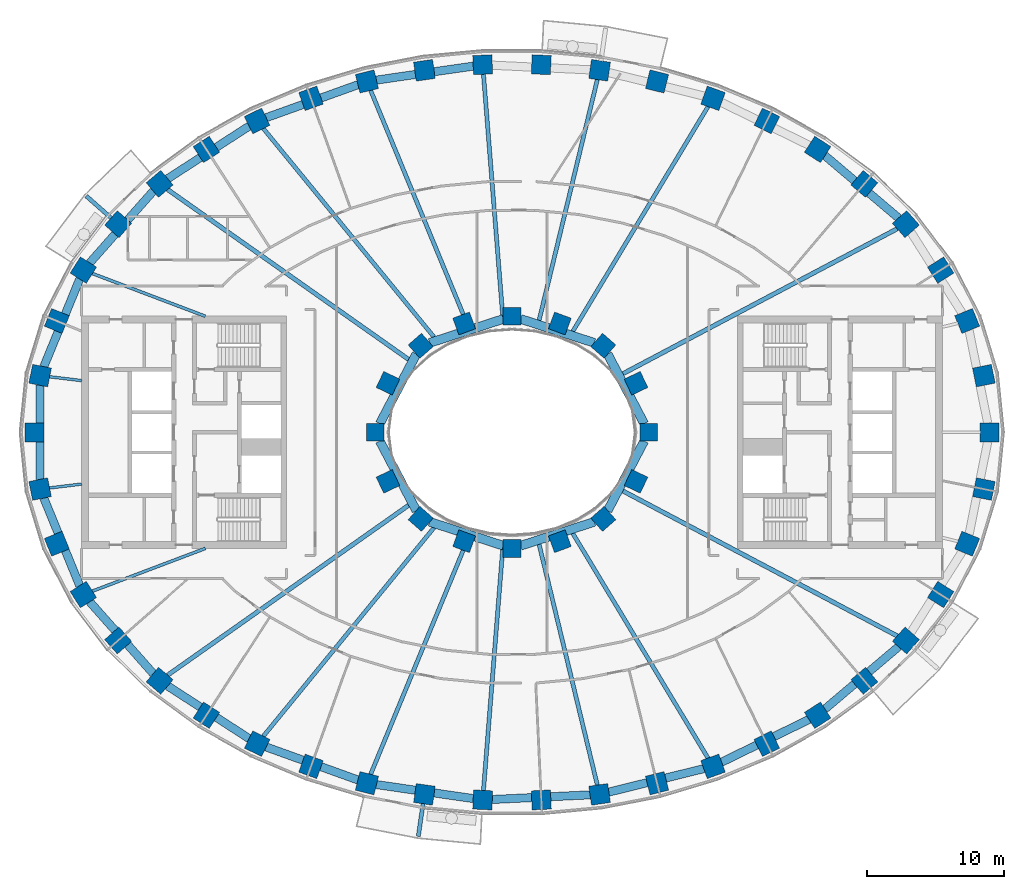
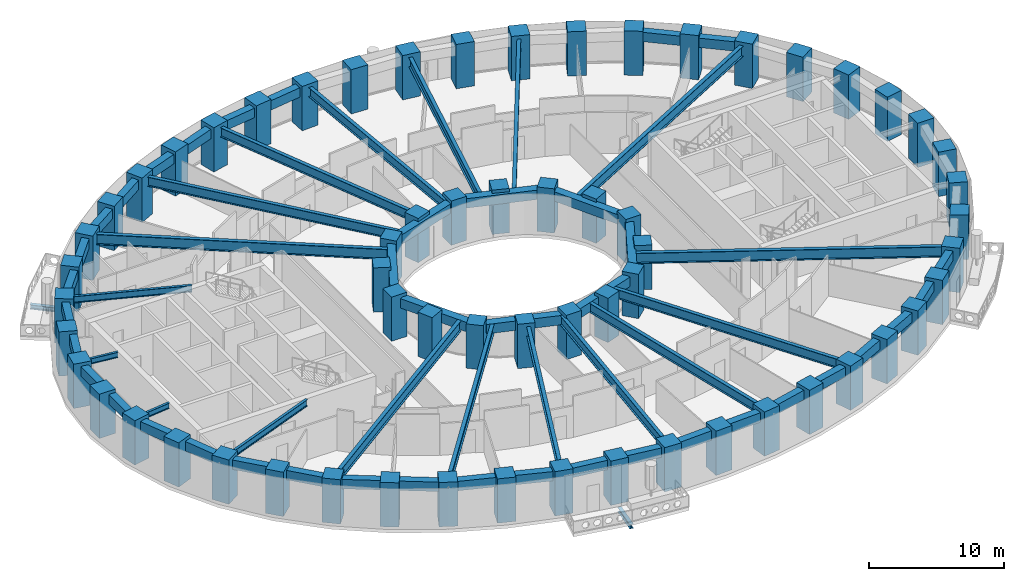
# One storey, part 1 of 16: 62 columns, 44 beams.
"""IFC4 building model written with IfcOpenShell, lengths in metres."""

import ifcopenshell
import ifcopenshell.guid

model = None  # the IFC model being written
_history = None  # IfcOwnerHistory: only IFC2X3 demands one
_inside = {}  # id of a spatial element -> (the spatial element, [elements in it])
_under = {}  # id of a project, library or spatial element -> (it, [spatial elements below it])
_declared = {}  # id of a project -> (the project, [libraries it declares])
_typed = {}  # id of a type object -> (the type object, [elements of that type])
_made_of = {}  # id of a material, layer set ... -> (it, [elements and type objects made of it])


def new_model(schema):
    """Start an empty IFC model of exactly this schema.

    Asked for "IFC4X3", IfcOpenShell would pick the latest addendum, in which some entities
    have other attributes; the version numbers below select the first issue.
    IFC2X3 requires an IfcOwnerHistory on every rooted entity: one is made here for all.
    """
    global model, _history
    if schema == "IFC4X3":
        model = ifcopenshell.file(schema_version=(4, 3, 0, 0))
    else:
        model = ifcopenshell.file(schema=schema)
    _inside.clear()
    _under.clear()
    _declared.clear()
    _typed.clear()
    _made_of.clear()
    _history = None
    if model.schema == "IFC2X3":
        org = make("IfcOrganization", Name="unknown")
        user = make(
            "IfcPersonAndOrganization",
            ThePerson=make("IfcPerson", FamilyName="unknown"),
            TheOrganization=org,
        )
        app = make(
            "IfcApplication",
            ApplicationDeveloper=org,
            Version="unknown",
            ApplicationFullName="unknown",
            ApplicationIdentifier="unknown",
        )
        _history = make(
            "IfcOwnerHistory",
            OwningUser=user,
            OwningApplication=app,
            ChangeAction="ADDED",
            CreationDate=0,
        )
    return model


def make(cls, **values):
    """One entity of the class cls with the attributes given. An attribute that is None is left unset."""
    return model.create_entity(
        cls, **{name: value for name, value in values.items() if value is not None}
    )


def rooted(cls, **values):
    """An entity with a GlobalId (a new one), such as an element, a storey or a relation."""
    return make(cls, GlobalId=ifcopenshell.guid.new(), OwnerHistory=_history, **values)


def si_unit(unit_type, name, prefix=None):
    """IfcSIUnit, for example si_unit("LENGTHUNIT", "METRE", prefix="MILLI")."""
    return make("IfcSIUnit", UnitType=unit_type, Prefix=prefix, Name=name)


def assignment(units):
    """IfcUnitAssignment: the units of a project."""
    return None if units is None else make("IfcUnitAssignment", Units=units)


def point(xyz):
    """IfcCartesianPoint."""
    return None if xyz is None else make("IfcCartesianPoint", Coordinates=xyz)


def direction(xyz):
    """IfcDirection."""
    return None if xyz is None else make("IfcDirection", DirectionRatios=xyz)


def frame(location, z_axis=None, x_axis=None):
    """IfcAxis2Placement3D, a coordinate frame: its origin and axes. An axis left out is left unset."""
    return make(
        "IfcAxis2Placement3D",
        Location=point(location),
        Axis=direction(z_axis),
        RefDirection=direction(x_axis),
    )


def frame_2d(location, x_axis=None):
    """IfcAxis2Placement2D, a coordinate frame in the plane: its origin and x axis."""
    return make(
        "IfcAxis2Placement2D", Location=point(location), RefDirection=direction(x_axis)
    )


def origin():
    """The frame at (0, 0, 0) with its axes left unset."""
    return frame((0.0, 0.0, 0.0))


def origin_2d():
    """The frame at (0, 0) in the plane with its x axis left unset."""
    return frame_2d((0.0, 0.0))


def place(relative_to, where):
    """IfcLocalPlacement: puts the frame where relative to a parent placement (None: the world)."""
    return make(
        "IfcLocalPlacement", PlacementRelTo=relative_to, RelativePlacement=where
    )


def context(
    kind, dimensions, precision=None, world=None, true_north=None, identifier=None
):
    """IfcGeometricRepresentationContext, for example the 3D "Model" context."""
    return make(
        "IfcGeometricRepresentationContext",
        ContextIdentifier=identifier,
        ContextType=kind,
        CoordinateSpaceDimension=dimensions,
        Precision=precision,
        WorldCoordinateSystem=world,
        TrueNorth=true_north,
    )


def subcontext(parent, identifier, kind, view, scale=None):
    """IfcGeometricRepresentationSubContext, for example "Body" below "Model"."""
    return make(
        "IfcGeometricRepresentationSubContext",
        ContextIdentifier=identifier,
        ContextType=kind,
        ParentContext=parent,
        TargetScale=scale,
        TargetView=view,
    )


def project(units=None, contexts=None):
    """IfcProject with its units and contexts."""
    return rooted(
        "IfcProject",
        Name="project",
        RepresentationContexts=contexts,
        UnitsInContext=assignment(units),
    )


def spatial(cls, under=None, at=None, **own):
    """A site, building, storey or space (cls), placed at a placement, below another one or the project."""
    s = rooted(cls, ObjectPlacement=at, **own)
    if under is not None:
        _under.setdefault(under.id(), (under, []))[1].append(s)
    return s


def profile(cls, at=None, kind="AREA", **sizes):
    """A parametric profile (cls). Its sizes go by their IFC names, for example OverallWidth=200.0."""
    return make(cls, ProfileType=kind, Position=at, **sizes)


def rectangle(**sizes):
    """IfcRectangleProfileDef."""
    return profile("IfcRectangleProfileDef", **sizes)


def i_section(**sizes):
    """IfcIShapeProfileDef."""
    return profile("IfcIShapeProfileDef", **sizes)


def extrude(swept, where, along, depth):
    """IfcExtrudedAreaSolid: the profile swept, set in the frame where, extruded along a direction by depth."""
    return make(
        "IfcExtrudedAreaSolid",
        SweptArea=swept,
        Position=where,
        ExtrudedDirection=direction(along),
        Depth=depth,
    )


def shape(context_of_items, identifier, shape_type, items):
    """IfcShapeRepresentation: the items that make up one representation, for example the "Body"."""
    return make(
        "IfcShapeRepresentation",
        ContextOfItems=context_of_items,
        RepresentationIdentifier=identifier,
        RepresentationType=shape_type,
        Items=items,
    )


def material(Name=None, Category=None):
    """IfcMaterial."""
    return make("IfcMaterial", Name=Name, Category=Category)


def material_profile(
    of_material, cross_section, Name=None, Category=None, Priority=None
):
    """IfcMaterialProfile: a cross section and its material."""
    return make(
        "IfcMaterialProfile",
        Name=Name,
        Material=of_material,
        Profile=cross_section,
        Priority=Priority,
        Category=Category,
    )


def profile_set(profiles, Name=None, composite=None):
    """IfcMaterialProfileSet."""
    return make(
        "IfcMaterialProfileSet",
        Name=Name,
        MaterialProfiles=profiles,
        CompositeProfile=composite,
    )


def made_of(thing, what):
    """Note that an element or type object is made of a material, layer set ...; save() writes the relation."""
    if what is not None:
        _made_of.setdefault(what.id(), (what, []))[1].append(thing)
    return thing


def type_object(cls, material=None, **own):
    """A type object (cls), such as IfcWallType, which elements share."""
    return made_of(rooted(cls, **own), material)


def element(
    cls,
    number,
    at=None,
    inside=None,
    cuts=None,
    type_object=None,
    material=None,
    context=None,
    identifier="Body",
    shape_type=None,
    held_by="IfcProductDefinitionShape",
    body=None,
    shapes=None,
    **own,
):
    """One element of the class cls, such as IfcWall. Its Tag is "e" and its number.

    at: its placement. inside: the storey or other place that contains it. cuts: it is an
    opening in that element (IfcRelVoidsElement). A single representation is given by context,
    identifier, shape_type and body (its items); several are given by shapes. held_by: the class
    of the entity that holds the representations. save() writes the other relations.
    """
    e = rooted(cls, Tag="e%d" % number, ObjectPlacement=at, **own)
    if body is not None:
        shapes = [shape(context, identifier, shape_type, body)]
    if shapes is not None:
        e.Representation = make(held_by, Representations=shapes)
    if inside is not None:
        _inside.setdefault(inside.id(), (inside, []))[1].append(e)
    if cuts is not None:
        rooted(
            "IfcRelVoidsElement", RelatingBuildingElement=cuts, RelatedOpeningElement=e
        )
    if type_object is not None:
        _typed.setdefault(type_object.id(), (type_object, []))[1].append(e)
    return made_of(e, material)


def aggregate(whole, parts):
    """IfcRelAggregates: a whole, such as a stair, and the parts it consists of."""
    return rooted("IfcRelAggregates", RelatingObject=whole, RelatedObjects=parts)


def save(model, path):
    """Write the relations noted so far, then the file.

    IfcRelAggregates (storeys below a building ...), IfcRelContainedInSpatialStructure (elements
    in a storey), IfcRelDefinesByType, IfcRelAssociatesMaterial and IfcRelDeclares: one each for
    every whole, place, type object, material and project.
    """
    for whole, parts in _under.values():
        aggregate(whole, parts)
    for where, things in _inside.values():
        rooted(
            "IfcRelContainedInSpatialStructure",
            RelatedElements=things,
            RelatingStructure=where,
        )
    for kind, things in _typed.values():
        rooted("IfcRelDefinesByType", RelatedObjects=things, RelatingType=kind)
    for what, things in _made_of.values():
        rooted("IfcRelAssociatesMaterial", RelatedObjects=things, RelatingMaterial=what)
    for by, libraries in _declared.values():
        rooted("IfcRelDeclares", RelatingContext=by, RelatedDefinitions=libraries)
    model.write(path)


model = new_model("IFC4")

# Units and contexts
model_context = context("Model", 3, precision=1e-05, world=origin(), true_north=direction((0.0, 1.0)))
body_context = subcontext(model_context, "Body", "Model", "MODEL_VIEW")
ifc_project = project(units=[si_unit("LENGTHUNIT", "METRE"), si_unit("AREAUNIT", "SQUARE_METRE"), si_unit("VOLUMEUNIT", "CUBIC_METRE"), si_unit("PLANEANGLEUNIT", "RADIAN"), si_unit("MASSUNIT", "GRAM", prefix="KILO")], contexts=[model_context])

# Site, building, storey
site_placement = place(None, origin())
site = spatial("IfcSite", under=ifc_project, at=site_placement, CompositionType="ELEMENT")
building_placement = place(site_placement, origin())
building = spatial("IfcBuilding", under=site, at=building_placement, Name="Noorbagh Ring Tower", CompositionType="ELEMENT")
storey_placement = place(building_placement, frame((0.0, 0.0, 70.5)))
storey = spatial("IfcBuildingStorey", under=building, at=storey_placement, Name="L15", CompositionType="ELEMENT", Elevation=70.5)

# Columns
ifc_material_1 = material(Name="Concrete C70/85", Category="concrete")
ifc_material_profile_1 = material_profile(ifc_material_1, rectangle(XDim=1.39990234375, YDim=1.39990234375, at=origin_2d()), Name="RC1400x1400")
ifc_profile_set_1 = profile_set([ifc_material_profile_1], Name="Concrete C70/85")
column_type_1 = type_object("IfcColumnType", Name="STR-COL-RC1400x1400-C70-85", PredefinedType="COLUMN", material=ifc_profile_set_1)
for number, where, z_axis, x_axis, name in (
    (1, (34.944580078125, 0.0, 0.0), (0.0, 0.0, 1.0), (0.0, 1.0, 0.0), "L15/col/R1-01"),
    (2, (34.52685546875, 4.150634765625, 0.0), (0.0, 0.0, 1.0), (-0.19723040178, 0.9803571638, 0.0), "L15/col/R1-02"),
    (3, (33.30517578125, 8.1494140625, 0.0), (0.0, 0.0, 1.0), (-0.378989499959, 0.925400971969, 0.0), "L15/col/R1-03"),
    (4, (31.364990234375, 11.87109375, 0.0), (0.0, 0.0, 1.0), (-0.535190403059, 0.844731455833, 0.0), "L15/col/R1-04"),
    (5, (28.81884765625, 15.23046875, 0.0), (0.0, 0.0, 1.0), (-0.662635642662, 0.748941923699, 0.0), "L15/col/R1-05"),
    (6, (25.78271484375, 18.180419921875, 0.0), (0.0, 0.0, 1.0), (-0.763035199656, 0.646356932419, 0.0), "L15/col/R1-06"),
    (7, (22.362060546875, 20.699951171875, 0.0), (0.0, 0.0, 1.0), (-0.840247639643, 0.542202825586, 0.0), "L15/col/R1-07"),
    (8, (18.646240234375, 22.785400390625, 0.0), (0.0, 0.0, 1.0), (-0.898399080868, 0.439180021741, 0.0), "L15/col/R1-08"),
    (9, (14.70947265625, 24.44091796875, 0.0), (0.0, 0.0, 1.0), (-0.941024726094, 0.338337797003, 0.0), "L15/col/R1-09"),
    (10, (10.61328125, 25.673583984375, 0.0), (0.0, 0.0, 1.0), (-0.970829360981, 0.239771457553, 0.0), "L15/col/R1-10"),
    (11, (6.4091796875, 26.49072265625, 0.0), (0.0, 0.0, 1.0), (-0.989713114048, 0.143066249975, 0.0), "L15/col/R1-11"),
    (12, (2.14306640625, 26.89794921875, 0.0), (0.0, 0.0, 1.0), (-0.998868731212, 0.047552684538, 0.0), "L15/col/R1-12"),
    (13, (-2.14306640625, 26.89794921875, 0.0), (0.0, 0.0, 1.0), (-0.998868731212, -0.047552684538, 0.0), "L15/col/R1-13"),
    (14, (-6.4091796875, 26.49072265625, 0.0), (0.0, 0.0, 1.0), (-0.989713114048, -0.143066249975, 0.0), "L15/col/R1-14"),
    (15, (-10.61328125, 25.673583984375, 0.0), (0.0, 0.0, 1.0), (-0.970829360981, -0.239771457553, 0.0), "L15/col/R1-15"),
    (16, (-14.70947265625, 24.44091796875, 0.0), (0.0, 0.0, 1.0), (-0.941024726094, -0.338337797003, 0.0), "L15/col/R1-16"),
    (17, (-18.646240234375, 22.785400390625, 0.0), (0.0, 0.0, 1.0), (-0.898399080868, -0.439180021741, 0.0), "L15/col/R1-17"),
    (18, (-22.362060546875, 20.699951171875, 0.0), (0.0, 0.0, 1.0), (-0.840247639643, -0.542202825586, 0.0), "L15/col/R1-18"),
    (19, (-25.78271484375, 18.180419921875, 0.0), (0.0, 0.0, 1.0), (-0.763035199656, -0.646356932419, 0.0), "L15/col/R1-19"),
    (20, (-28.81884765625, 15.23046875, 0.0), (0.0, 0.0, 1.0), (-0.662635642662, -0.748941923699, 0.0), "L15/col/R1-20"),
    (21, (-31.364990234375, 11.87109375, 0.0), (0.0, 0.0, 1.0), (-0.535190403059, -0.844731455833, 0.0), "L15/col/R1-21"),
    (22, (-33.30517578125, 8.1494140625, 0.0), (0.0, 0.0, 1.0), (-0.378989499959, -0.925400971969, 0.0), "L15/col/R1-22"),
    (23, (-34.52685546875, 4.150634765625, 0.0), (0.0, 0.0, 1.0), (-0.19723040178, -0.9803571638, 0.0), "L15/col/R1-23"),
    (24, (-34.944580078125, 0.0, 0.0), (0.0, 0.0, 1.0), (0.0, -1.0, 0.0), "L15/col/R1-24"),
    (25, (-34.52685546875, -4.150634765625, 0.0), (0.0, 0.0, 1.0), (0.19723040178, -0.9803571638, 0.0), "L15/col/R1-25"),
    (26, (-33.30517578125, -8.1494140625, 0.0), (0.0, 0.0, 1.0), (0.378989499959, -0.925400971969, 0.0), "L15/col/R1-26"),
    (27, (-31.364990234375, -11.87109375, 0.0), (0.0, 0.0, 1.0), (0.535190403059, -0.844731455833, 0.0), "L15/col/R1-27"),
    (28, (-28.81884765625, -15.23046875, 0.0), (0.0, 0.0, 1.0), (0.662635642662, -0.748941923699, 0.0), "L15/col/R1-28"),
    (29, (-25.78271484375, -18.180419921875, 0.0), (0.0, 0.0, 1.0), (0.763035199656, -0.646356932419, 0.0), "L15/col/R1-29"),
    (30, (-22.362060546875, -20.699951171875, 0.0), (0.0, 0.0, 1.0), (0.840247639643, -0.542202825586, 0.0), "L15/col/R1-30"),
    (31, (-18.646240234375, -22.785400390625, 0.0), (0.0, 0.0, 1.0), (0.898399080868, -0.439180021741, 0.0), "L15/col/R1-31"),
    (32, (-14.70947265625, -24.44091796875, 0.0), (0.0, 0.0, 1.0), (0.941024726094, -0.338337797003, 0.0), "L15/col/R1-32"),
    (33, (-10.61328125, -25.673583984375, 0.0), (0.0, 0.0, 1.0), (0.970829360981, -0.239771457553, 0.0), "L15/col/R1-33"),
    (34, (-6.4091796875, -26.49072265625, 0.0), (0.0, 0.0, 1.0), (0.989713114048, -0.143066249975, 0.0), "L15/col/R1-34"),
    (35, (-2.14306640625, -26.89794921875, 0.0), (0.0, 0.0, 1.0), (0.998868731212, -0.047552684538, 0.0), "L15/col/R1-35"),
    (36, (2.14306640625, -26.89794921875, 0.0), (0.0, 0.0, 1.0), (0.998868731212, 0.047552684538, 0.0), "L15/col/R1-36"),
    (37, (6.4091796875, -26.49072265625, 0.0), (0.0, 0.0, 1.0), (0.989713114048, 0.143066249975, 0.0), "L15/col/R1-37"),
    (38, (10.61328125, -25.673583984375, 0.0), (0.0, 0.0, 1.0), (0.970829360981, 0.239771457553, 0.0), "L15/col/R1-38"),
    (39, (14.70947265625, -24.44091796875, 0.0), (0.0, 0.0, 1.0), (0.941024726094, 0.338337797003, 0.0), "L15/col/R1-39"),
    (40, (18.646240234375, -22.785400390625, 0.0), (0.0, 0.0, 1.0), (0.898399080868, 0.439180021741, 0.0), "L15/col/R1-40"),
    (41, (22.362060546875, -20.699951171875, 0.0), (0.0, 0.0, 1.0), (0.840247639643, 0.542202825586, 0.0), "L15/col/R1-41"),
    (42, (25.78271484375, -18.180419921875, 0.0), (0.0, 0.0, 1.0), (0.763035199656, 0.646356932419, 0.0), "L15/col/R1-42"),
    (43, (28.81884765625, -15.23046875, 0.0), (0.0, 0.0, 1.0), (0.662635642662, 0.748941923699, 0.0), "L15/col/R1-43"),
    (44, (31.364990234375, -11.87109375, 0.0), (0.0, 0.0, 1.0), (0.535190403059, 0.844731455833, 0.0), "L15/col/R1-44"),
    (45, (33.30517578125, -8.1494140625, 0.0), (0.0, 0.0, 1.0), (0.378989499959, 0.925400971969, 0.0), "L15/col/R1-45"),
    (46, (34.52685546875, -4.150634765625, 0.0), (0.0, 0.0, 1.0), (0.19723040178, 0.9803571638, 0.0), "L15/col/R1-46"),
):
    element("IfcColumn", number, at=place(storey_placement, frame(where, z_axis=z_axis, x_axis=x_axis)), inside=storey, type_object=column_type_1, Name=name, PredefinedType="COLUMN", context=body_context, shape_type="SweptSolid", body=[
        extrude(rectangle(XDim=1.39990234375, YDim=1.39990234375, at=origin_2d()), origin(), (0.0, 0.0, 1.0), 4.0),
    ])
ifc_material_2 = material(Name="Concrete C70/85", Category="concrete")
ifc_material_profile_2 = material_profile(ifc_material_2, rectangle(XDim=1.300048828125, YDim=1.300048828125, at=origin_2d()), Name="RC1300x1300")
ifc_profile_set_2 = profile_set([ifc_material_profile_2], Name="Concrete C70/85")
column_type_2 = type_object("IfcColumnType", Name="STR-ICOL-RC1300x1300-C70-85", PredefinedType="COLUMN", material=ifc_profile_set_2)
for number, where, z_axis, x_axis, name in (
    (47, (10.00830078125, 0.0, 0.0), (0.0, 0.0, 1.0), (0.0, 1.0, 0.0), "L15/col/IR2-W01"),
    (48, (9.07568359375, 3.58837890625, 0.0), (0.0, 0.0, 1.0), (-0.428666979171, 0.903462573087, 0.0), "L15/col/IR2-W03"),
    (49, (6.68212890625, 6.333740234375, 0.0), (0.0, 0.0, 1.0), (-0.75102249095, 0.660276622399, 0.0), "L15/col/IR2-W05"),
    (50, (3.5009765625, 7.967041015625, 0.0), (0.0, 0.0, 1.0), (-0.939019578916, 0.343863679984, 0.0), "L15/col/IR2-W07"),
    (51, (0.0, 8.5029296875, 0.0), (0.0, 0.0, 1.0), (-1.0, 0.0, 0.0), "L15/col/IR2-W09"),
    (52, (-3.5009765625, 7.967041015625, 0.0), (0.0, 0.0, 1.0), (-0.939019578916, -0.343863679984, 0.0), "L15/col/IR2-W11"),
    (53, (-6.68212890625, 6.333740234375, 0.0), (0.0, 0.0, 1.0), (-0.75102249095, -0.660276622399, 0.0), "L15/col/IR2-W13"),
    (54, (-9.07568359375, 3.58837890625, 0.0), (0.0, 0.0, 1.0), (-0.428666979171, -0.903462573087, 0.0), "L15/col/IR2-W15"),
    (55, (-10.00830078125, 0.0, 0.0), (0.0, 0.0, 1.0), (0.0, -1.0, 0.0), "L15/col/IR2-W17"),
    (56, (-9.07568359375, -3.58837890625, 0.0), (0.0, 0.0, 1.0), (0.428666979171, -0.903462573087, 0.0), "L15/col/IR2-W19"),
    (57, (-6.68212890625, -6.333740234375, 0.0), (0.0, 0.0, 1.0), (0.75102249095, -0.660276622399, 0.0), "L15/col/IR2-W21"),
    (58, (-3.5009765625, -7.967041015625, 0.0), (0.0, 0.0, 1.0), (0.939019578916, -0.343863679984, 0.0), "L15/col/IR2-W23"),
    (59, (0.0, -8.5029296875, 0.0), (0.0, 0.0, 1.0), (1.0, 0.0, 0.0), "L15/col/IR2-W25"),
    (60, (3.5009765625, -7.967041015625, 0.0), (0.0, 0.0, 1.0), (0.939019578916, 0.343863679984, 0.0), "L15/col/IR2-W27"),
    (61, (6.68212890625, -6.333740234375, 0.0), (0.0, 0.0, 1.0), (0.75102249095, 0.660276622399, 0.0), "L15/col/IR2-W29"),
    (62, (9.07568359375, -3.58837890625, 0.0), (0.0, 0.0, 1.0), (0.428666979171, 0.903462573087, 0.0), "L15/col/IR2-W31"),
):
    element("IfcColumn", number, at=place(storey_placement, frame(where, z_axis=z_axis, x_axis=x_axis)), inside=storey, type_object=column_type_2, Name=name, PredefinedType="COLUMN", context=body_context, shape_type="SweptSolid", body=[
        extrude(rectangle(XDim=1.300048828125, YDim=1.300048828125, at=origin_2d()), origin(), (0.0, 0.0, 1.0), 4.0),
    ])

# Beams
ifc_material_3 = material(Name="Steel S355", Category="steel")
ifc_material_profile_3 = material_profile(ifc_material_3, i_section(OverallWidth=0.300048828125, OverallDepth=0.39990234375, WebThickness=0.013427734375, FlangeThickness=0.02392578125, FilletRadius=0.027099609375, at=origin_2d()), Name="HEB400")
ifc_profile_set_3 = profile_set([ifc_material_profile_3], Name="Steel S355")
beam_type_1 = type_object("IfcBeamType", Name="STR-BALCONY-BRACKET-HEB400", PredefinedType="BEAM", material=ifc_profile_set_3)
beam_1_placement = place(storey_placement, frame((-29.328125, 15.680908203125, -0.5), z_axis=(-0.74904259367, 0.662521843314, 0.0), x_axis=(-0.662521843314, -0.74904259367, 0.0)))
element("IfcBeam", 63, at=beam_1_placement, inside=storey, type_object=beam_type_1, Name="Balcony bracket beam BN06", PredefinedType="BEAM", context=body_context, shape_type="SweptSolid", body=[
    extrude(i_section(OverallWidth=0.300048828125, OverallDepth=0.39990234375, WebThickness=0.013427734375, FlangeThickness=0.02392578125, FilletRadius=0.027099609375, at=origin_2d()), origin(), (0.0, 0.0, 1.0), 2.429443359375),
])
beam_2_placement = place(storey_placement, frame((-6.506591796875, -27.163818359375, -0.5), z_axis=(-0.143028732143, -0.989718536646, 0.0), x_axis=(0.989718536646, -0.143028732143, 0.0)))
element("IfcBeam", 64, at=beam_2_placement, inside=storey, type_object=beam_type_1, Name="Balcony bracket beam BS03", PredefinedType="BEAM", context=body_context, shape_type="SweptSolid", body=[
    extrude(i_section(OverallWidth=0.300048828125, OverallDepth=0.39990234375, WebThickness=0.013427734375, FlangeThickness=0.02392578125, FilletRadius=0.027099609375, at=origin_2d()), origin(), (0.0, 0.0, 1.0), 2.423828125),
])
ifc_material_4 = material(Name="Steel S355", Category="steel")
ifc_material_profile_4 = material_profile(ifc_material_4, i_section(OverallWidth=0.199951171875, OverallDepth=0.5, WebThickness=0.01025390625, FlangeThickness=0.01611328125, FilletRadius=0.02099609375, at=origin_2d()), Name="IPE500")
ifc_profile_set_4 = profile_set([ifc_material_profile_4], Name="Steel S355")
beam_type_2 = type_object("IfcBeamType", Name="STR-RAD-IPE500", PredefinedType="BEAM", material=ifc_profile_set_4)
for number, where, z_axis, x_axis, name in (
    (65, (-33.849365234375, 4.0693359375, 3.449951171875), (0.992846305677, -0.119399385689, 0.0), (0.119399385689, 0.992846305677, 0.0), "L15/bm/RD23"),
    (66, (-33.849365234375, -4.0693359375, 3.449951171875), (0.992846305677, 0.119399385689, 0.0), (-0.119399385689, 0.992846305677, 0.0), "L15/bm/RD25"),
):
    element("IfcBeam", number, at=place(storey_placement, frame(where, z_axis=z_axis, x_axis=x_axis)), inside=storey, type_object=beam_type_2, Name=name, PredefinedType="BEAM", context=body_context, shape_type="SweptSolid", body=[
        extrude(i_section(OverallWidth=0.199951171875, OverallDepth=0.5, WebThickness=0.01025390625, FlangeThickness=0.01611328125, FilletRadius=0.02099609375, at=origin_2d()), origin(), (0.0, 0.0, 1.0), 2.38623046875),
    ])
ifc_material_5 = material(Name="Steel S355", Category="steel")
ifc_material_profile_5 = material_profile(ifc_material_5, i_section(OverallWidth=0.219970703125, OverallDepth=0.60009765625, WebThickness=0.011962890625, FlangeThickness=0.01904296875, FilletRadius=0.02392578125, at=origin_2d()), Name="IPE600")
ifc_profile_set_5 = profile_set([ifc_material_profile_5], Name="Steel S355")
beam_type_3 = type_object("IfcBeamType", Name="STR-RAD-IPE600", PredefinedType="BEAM", material=ifc_profile_set_5)
for number, where, z_axis, x_axis, name in (
    (67, (-30.71533203125, 11.625, 3.39990234375), (0.935257869922, -0.353967112524, 0.0), (0.353967112524, 0.935257869922, 0.0), "L15/bm/RD21"),
    (68, (-30.71533203125, -11.625, 3.39990234375), (0.935257869922, 0.353967112524, 0.0), (-0.353967112524, 0.935257869922, 0.0), "L15/bm/RD27"),
):
    element("IfcBeam", number, at=place(storey_placement, frame(where, z_axis=z_axis, x_axis=x_axis)), inside=storey, type_object=beam_type_3, Name=name, PredefinedType="BEAM", context=body_context, shape_type="SweptSolid", body=[
        extrude(i_section(OverallWidth=0.219970703125, OverallDepth=0.60009765625, WebThickness=0.011962890625, FlangeThickness=0.01904296875, FilletRadius=0.02392578125, at=origin_2d()), origin(), (0.0, 0.0, 1.0), 8.848388671875),
    ])
ifc_material_6 = material(Name="Steel S355", Category="steel")
ifc_material_profile_6 = material_profile(ifc_material_6, i_section(OverallWidth=0.300048828125, OverallDepth=0.85009765625, WebThickness=0.013916015625, FlangeThickness=0.028076171875, at=origin_2d()), Name="PG850x300x14x28")
ifc_profile_set_6 = profile_set([ifc_material_profile_6], Name="Steel S355")
beam_type_4 = type_object("IfcBeamType", Name="STR-RAD-PG850x300x14x28", PredefinedType="BEAM", material=ifc_profile_set_6)
beam_3_placement = place(storey_placement, frame((14.351806640625, 23.846435546875, 3.27490234375), z_axis=(-0.515659258166, -0.856793749667, 0.0), x_axis=(0.856793749667, -0.515659258166, 0.0)))
element("IfcBeam", 69, at=beam_3_placement, inside=storey, type_object=beam_type_4, Name="L15/bm/RD09", PredefinedType="BEAM", context=body_context, shape_type="SweptSolid", body=[
    extrude(i_section(OverallWidth=0.300048828125, OverallDepth=0.85009765625, WebThickness=0.013916015625, FlangeThickness=0.028076171875, at=origin_2d()), origin(), (0.0, 0.0, 1.0), 19.216552734375),
])
beam_4_placement = place(storey_placement, frame((6.24853515625, 25.826904296875, 3.27490234375), z_axis=(-0.235159307557, -0.971956840641, 0.0), x_axis=(0.971956840641, -0.235159307557, 0.0)))
element("IfcBeam", 70, at=beam_4_placement, inside=storey, type_object=beam_type_4, Name="L15/bm/RD11", PredefinedType="BEAM", context=body_context, shape_type="SweptSolid", body=[
    extrude(i_section(OverallWidth=0.300048828125, OverallDepth=0.85009765625, WebThickness=0.013916015625, FlangeThickness=0.028076171875, at=origin_2d()), origin(), (0.0, 0.0, 1.0), 18.15478515625),
])
beam_5_placement = place(storey_placement, frame((-2.089111328125, 26.2197265625, 3.27490234375), z_axis=(0.079423302335, -0.996840979819, 0.0), x_axis=(0.996840979819, 0.079423302335, 0.0)))
element("IfcBeam", 71, at=beam_5_placement, inside=storey, type_object=beam_type_4, Name="L15/bm/RD13", PredefinedType="BEAM", context=body_context, shape_type="SweptSolid", body=[
    extrude(i_section(OverallWidth=0.300048828125, OverallDepth=0.85009765625, WebThickness=0.013916015625, FlangeThickness=0.028076171875, at=origin_2d()), origin(), (0.0, 0.0, 1.0), 17.874755859375),
])
beam_6_placement = place(storey_placement, frame((-10.350341796875, 25.037841796875, 3.27490234375), z_axis=(0.382027684337, -0.924150879673, 0.0), x_axis=(0.924150879673, 0.382027684337, 0.0)))
element("IfcBeam", 72, at=beam_6_placement, inside=storey, type_object=beam_type_4, Name="L15/bm/RD15", PredefinedType="BEAM", context=body_context, shape_type="SweptSolid", body=[
    extrude(i_section(OverallWidth=0.300048828125, OverallDepth=0.85009765625, WebThickness=0.013916015625, FlangeThickness=0.028076171875, at=origin_2d()), origin(), (0.0, 0.0, 1.0), 18.6748046875),
])
for number, where, z_axis, x_axis, name in (
    (73, (-18.20361328125, 22.244384765625, 3.27490234375), (0.633313916814, -0.773895007588, 0.0), (0.773895007588, 0.633313916814, 0.0), "L15/bm/RD17"),
    (74, (-18.20361328125, -22.244384765625, 3.27490234375), (0.633313916814, 0.773895007588, 0.0), (-0.773895007588, 0.633313916814, 0.0), "L15/bm/RD31"),
):
    element("IfcBeam", number, at=place(storey_placement, frame(where, z_axis=z_axis, x_axis=x_axis)), inside=storey, type_object=beam_type_4, Name=name, PredefinedType="BEAM", context=body_context, shape_type="SweptSolid", body=[
        extrude(i_section(OverallWidth=0.300048828125, OverallDepth=0.85009765625, WebThickness=0.013916015625, FlangeThickness=0.028076171875, at=origin_2d()), origin(), (0.0, 0.0, 1.0), 19.733642578125),
    ])
beam_7_placement = place(storey_placement, frame((-10.350341796875, -25.037841796875, 3.27490234375), z_axis=(0.382027684337, 0.924150879673, 0.0), x_axis=(-0.924150879673, 0.382027684337, 0.0)))
element("IfcBeam", 75, at=beam_7_placement, inside=storey, type_object=beam_type_4, Name="L15/bm/RD33", PredefinedType="BEAM", context=body_context, shape_type="SweptSolid", body=[
    extrude(i_section(OverallWidth=0.300048828125, OverallDepth=0.85009765625, WebThickness=0.013916015625, FlangeThickness=0.028076171875, at=origin_2d()), origin(), (0.0, 0.0, 1.0), 18.6748046875),
])
beam_8_placement = place(storey_placement, frame((-2.089111328125, -26.2197265625, 3.27490234375), z_axis=(0.079423302335, 0.996840979819, 0.0), x_axis=(-0.996840979819, 0.079423302335, 0.0)))
element("IfcBeam", 76, at=beam_8_placement, inside=storey, type_object=beam_type_4, Name="L15/bm/RD35", PredefinedType="BEAM", context=body_context, shape_type="SweptSolid", body=[
    extrude(i_section(OverallWidth=0.300048828125, OverallDepth=0.85009765625, WebThickness=0.013916015625, FlangeThickness=0.028076171875, at=origin_2d()), origin(), (0.0, 0.0, 1.0), 17.874755859375),
])
beam_9_placement = place(storey_placement, frame((6.24853515625, -25.826904296875, 3.27490234375), z_axis=(-0.235159307557, 0.971956840641, 0.0), x_axis=(-0.971956840641, -0.235159307557, 0.0)))
element("IfcBeam", 77, at=beam_9_placement, inside=storey, type_object=beam_type_4, Name="L15/bm/RD37", PredefinedType="BEAM", context=body_context, shape_type="SweptSolid", body=[
    extrude(i_section(OverallWidth=0.300048828125, OverallDepth=0.85009765625, WebThickness=0.013916015625, FlangeThickness=0.028076171875, at=origin_2d()), origin(), (0.0, 0.0, 1.0), 18.15478515625),
])
beam_10_placement = place(storey_placement, frame((14.351806640625, -23.846435546875, 3.27490234375), z_axis=(-0.515659258166, 0.856793749667, 0.0), x_axis=(-0.856793749667, -0.515659258166, 0.0)))
element("IfcBeam", 78, at=beam_10_placement, inside=storey, type_object=beam_type_4, Name="L15/bm/RD39", PredefinedType="BEAM", context=body_context, shape_type="SweptSolid", body=[
    extrude(i_section(OverallWidth=0.300048828125, OverallDepth=0.85009765625, WebThickness=0.013916015625, FlangeThickness=0.028076171875, at=origin_2d()), origin(), (0.0, 0.0, 1.0), 19.216552734375),
])
ifc_material_7 = material(Name="Steel S355", Category="steel")
ifc_material_profile_7 = material_profile(ifc_material_7, i_section(OverallWidth=0.320068359375, OverallDepth=0.949951171875, WebThickness=0.01611328125, FlangeThickness=0.030029296875, at=origin_2d()), Name="PG950x320x16x30")
ifc_profile_set_7 = profile_set([ifc_material_profile_7], Name="Steel S355")
beam_type_5 = type_object("IfcBeamType", Name="STR-RAD-PG950x320x16x30", PredefinedType="BEAM", material=ifc_profile_set_7)
beam_11_placement = place(storey_placement, frame((28.19970703125, 14.9033203125, 3.22509765625), z_axis=(-0.884122895435, -0.467254433652, 0.0), x_axis=(0.467254433652, -0.884122895435, 0.0)))
element("IfcBeam", 79, at=beam_11_placement, inside=storey, type_object=beam_type_5, Name="L15/bm/RD05", PredefinedType="BEAM", context=body_context, shape_type="SweptSolid", body=[
    extrude(i_section(OverallWidth=0.320068359375, OverallDepth=0.949951171875, WebThickness=0.01611328125, FlangeThickness=0.030029296875, at=origin_2d()), origin(), (0.0, 0.0, 1.0), 22.729736328125),
])
for number, where, z_axis, x_axis, name in (
    (80, (-25.2080078125, 17.775146484375, 3.22509765625), (0.817254380301, -0.576277084291, 0.0), (0.576277084291, 0.817254380301, 0.0), "L15/bm/RD19"),
    (81, (-25.2080078125, -17.775146484375, 3.22509765625), (0.817254380301, 0.576277084291, 0.0), (-0.576277084291, 0.817254380301, 0.0), "L15/bm/RD29"),
):
    element("IfcBeam", number, at=place(storey_placement, frame(where, z_axis=z_axis, x_axis=x_axis)), inside=storey, type_object=beam_type_5, Name=name, PredefinedType="BEAM", context=body_context, shape_type="SweptSolid", body=[
        extrude(i_section(OverallWidth=0.320068359375, OverallDepth=0.949951171875, WebThickness=0.01611328125, FlangeThickness=0.030029296875, at=origin_2d()), origin(), (0.0, 0.0, 1.0), 21.599853515625),
    ])
beam_12_placement = place(storey_placement, frame((28.19970703125, -14.9033203125, 3.22509765625), z_axis=(-0.884122895435, 0.467254433652, 0.0), x_axis=(-0.467254433652, -0.884122895435, 0.0)))
element("IfcBeam", 82, at=beam_12_placement, inside=storey, type_object=beam_type_5, Name="L15/bm/RD43", PredefinedType="BEAM", context=body_context, shape_type="SweptSolid", body=[
    extrude(i_section(OverallWidth=0.320068359375, OverallDepth=0.949951171875, WebThickness=0.01611328125, FlangeThickness=0.030029296875, at=origin_2d()), origin(), (0.0, 0.0, 1.0), 22.729736328125),
])
ifc_material_8 = material(Name="Concrete C40/50", Category="concrete")
ifc_material_profile_8 = material_profile(ifc_material_8, rectangle(XDim=0.64990234375, YDim=0.85009765625, at=origin_2d()), Name="RC650x850")
ifc_profile_set_8 = profile_set([ifc_material_profile_8], Name="Concrete C40/50")
beam_type_6 = type_object("IfcBeamType", Name="STR-RB-RC650x850-C40-50", PredefinedType="BEAM", material=ifc_profile_set_8)
beam_13_placement = place(storey_placement, frame((9.67626953125, 0.63232421875, 3.27490234375), z_axis=(-0.464932685401, 0.885346032942, 0.0), x_axis=(-0.885346032942, -0.464932685401, 0.0)))
element("IfcBeam", 83, at=beam_13_placement, inside=storey, type_object=beam_type_6, Name="L15/bm/RG01", PredefinedType="BEAM", context=body_context, shape_type="SweptSolid", body=[
    extrude(rectangle(XDim=0.64990234375, YDim=0.85009765625, at=origin_2d()), origin(), (0.0, 0.0, 1.0), 5.763671875),
])
for number, where, z_axis, x_axis, name in (
    (84, (6.02783203125, 6.546142578125, 3.27490234375), (-0.95114088461, 0.308757214691, 0.0), (-0.308757214691, -0.95114088461, 0.0), "L15/bm/RG03"),
    (85, (-0.630859375, 8.298095703125, 3.27490234375), (-0.95114088461, -0.308757214691, 0.0), (0.308757214691, -0.95114088461, 0.0), "L15/bm/RG05"),
):
    element("IfcBeam", number, at=place(storey_placement, frame(where, z_axis=z_axis, x_axis=x_axis)), inside=storey, type_object=beam_type_6, Name=name, PredefinedType="BEAM", context=body_context, shape_type="SweptSolid", body=[
        extrude(rectangle(XDim=0.64990234375, YDim=0.85009765625, at=origin_2d()), origin(), (0.0, 0.0, 1.0), 5.67431640625),
    ])
for number, where, z_axis, x_axis, name in (
    (86, (-6.99658203125, 5.735107421875, 3.27490234375), (-0.464932685401, -0.885346032942, 0.0), (0.885346032942, -0.464932685401, 0.0), "L15/bm/RG07"),
    (87, (-9.67626953125, -0.63232421875, 3.27490234375), (0.464932685401, -0.885346032942, 0.0), (0.885346032942, 0.464932685401, 0.0), "L15/bm/RG09"),
):
    element("IfcBeam", number, at=place(storey_placement, frame(where, z_axis=z_axis, x_axis=x_axis)), inside=storey, type_object=beam_type_6, Name=name, PredefinedType="BEAM", context=body_context, shape_type="SweptSolid", body=[
        extrude(rectangle(XDim=0.64990234375, YDim=0.85009765625, at=origin_2d()), origin(), (0.0, 0.0, 1.0), 5.763671875),
    ])
for number, where, z_axis, x_axis, name in (
    (88, (-6.02783203125, -6.546142578125, 3.27490234375), (0.95114088461, -0.308757214691, 0.0), (0.308757214691, 0.95114088461, 0.0), "L15/bm/RG11"),
    (89, (0.630859375, -8.298095703125, 3.27490234375), (0.95114088461, 0.308757214691, 0.0), (-0.308757214691, 0.95114088461, 0.0), "L15/bm/RG13"),
):
    element("IfcBeam", number, at=place(storey_placement, frame(where, z_axis=z_axis, x_axis=x_axis)), inside=storey, type_object=beam_type_6, Name=name, PredefinedType="BEAM", context=body_context, shape_type="SweptSolid", body=[
        extrude(rectangle(XDim=0.64990234375, YDim=0.85009765625, at=origin_2d()), origin(), (0.0, 0.0, 1.0), 5.67431640625),
    ])
beam_14_placement = place(storey_placement, frame((6.99658203125, -5.735107421875, 3.27490234375), z_axis=(0.464932685401, 0.885346032942, 0.0), x_axis=(-0.885346032942, 0.464932685401, 0.0)))
element("IfcBeam", 90, at=beam_14_placement, inside=storey, type_object=beam_type_6, Name="L15/bm/RG15", PredefinedType="BEAM", context=body_context, shape_type="SweptSolid", body=[
    extrude(rectangle(XDim=0.64990234375, YDim=0.85009765625, at=origin_2d()), origin(), (0.0, 0.0, 1.0), 5.763671875),
])
ifc_material_9 = material(Name="Concrete C40/50", Category="concrete")
ifc_material_profile_9 = material_profile(ifc_material_9, rectangle(XDim=0.60009765625, YDim=0.85009765625, at=origin_2d()), Name="RC600x850")
ifc_profile_set_9 = profile_set([ifc_material_profile_9], Name="Concrete C40/50")
beam_type_7 = type_object("IfcBeamType", Name="STR-SB-RC600x850-C40-50", PredefinedType="BEAM", material=ifc_profile_set_9)
beam_15_placement = place(storey_placement, frame((28.29443359375, 15.6748046875, 3.27490234375), z_axis=(-0.763038677853, 0.646352826327, 0.0), x_axis=(-0.646352826327, -0.763038677853, 0.0)))
element("IfcBeam", 91, at=beam_15_placement, inside=storey, type_object=beam_type_7, Name="L15/bm/SP05", PredefinedType="BEAM", context=body_context, shape_type="SweptSolid", body=[
    extrude(rectangle(XDim=0.60009765625, YDim=0.85009765625, at=origin_2d()), origin(), (0.0, 0.0, 1.0), 7.088623046875),
])
beam_16_placement = place(storey_placement, frame((-2.8193359375, 26.80029296875, 3.27490234375), z_axis=(-0.989713887857, -0.143060896766, 0.0), x_axis=(0.143060896766, -0.989713887857, 0.0)))
element("IfcBeam", 92, at=beam_16_placement, inside=storey, type_object=beam_type_7, Name="L15/bm/SP13", PredefinedType="BEAM", context=body_context, shape_type="SweptSolid", body=[
    extrude(rectangle(XDim=0.60009765625, YDim=0.85009765625, at=origin_2d()), origin(), (0.0, 0.0, 1.0), 7.19140625),
])
beam_17_placement = place(storey_placement, frame((-11.256591796875, 25.4423828125, 3.27490234375), z_axis=(-0.941019322025, -0.338352827054, 0.0), x_axis=(0.338352827054, -0.941019322025, 0.0)))
element("IfcBeam", 93, at=beam_17_placement, inside=storey, type_object=beam_type_7, Name="L15/bm/SP15", PredefinedType="BEAM", context=body_context, shape_type="SweptSolid", body=[
    extrude(rectangle(XDim=0.60009765625, YDim=0.85009765625, at=origin_2d()), origin(), (0.0, 0.0, 1.0), 7.168701171875),
])
beam_18_placement = place(storey_placement, frame((-19.2216796875, 22.4140625, 3.27490234375), z_axis=(-0.840247280939, -0.542203381467, 0.0), x_axis=(0.542203381467, -0.840247280939, 0.0)))
element("IfcBeam", 94, at=beam_18_placement, inside=storey, type_object=beam_type_7, Name="L15/bm/SP17", PredefinedType="BEAM", context=body_context, shape_type="SweptSolid", body=[
    extrude(rectangle(XDim=0.60009765625, YDim=0.85009765625, at=origin_2d()), origin(), (0.0, 0.0, 1.0), 7.12255859375),
])
beam_19_placement = place(storey_placement, frame((-26.238037109375, 17.66552734375, 3.27490234375), z_axis=(-0.66264637691, -0.748932426303, 0.0), x_axis=(0.748932426303, -0.66264637691, 0.0)))
element("IfcBeam", 95, at=beam_19_placement, inside=storey, type_object=beam_type_7, Name="L15/bm/SP19", PredefinedType="BEAM", context=body_context, shape_type="SweptSolid", body=[
    extrude(rectangle(XDim=0.60009765625, YDim=0.85009765625, at=origin_2d()), origin(), (0.0, 0.0, 1.0), 7.048095703125),
])
beam_20_placement = place(storey_placement, frame((-31.626953125, 11.2314453125, 3.27490234375), z_axis=(-0.378975710003, -0.925406619399, 0.0), x_axis=(0.925406619399, -0.378975710003, 0.0)))
element("IfcBeam", 96, at=beam_20_placement, inside=storey, type_object=beam_type_7, Name="L15/bm/SP21", PredefinedType="BEAM", context=body_context, shape_type="SweptSolid", body=[
    extrude(rectangle(XDim=0.60009765625, YDim=0.85009765625, at=origin_2d()), origin(), (0.0, 0.0, 1.0), 6.958740234375),
])
beam_21_placement = place(storey_placement, frame((-34.52685546875, 3.45654296875, 3.27490234375), z_axis=(0.0, -1.0, 0.0), x_axis=(1.0, 0.0, 0.0)))
element("IfcBeam", 97, at=beam_21_placement, inside=storey, type_object=beam_type_7, Name="L15/bm/SP23", PredefinedType="BEAM", context=body_context, shape_type="SweptSolid", body=[
    extrude(rectangle(XDim=0.60009765625, YDim=0.85009765625, at=origin_2d()), origin(), (0.0, 0.0, 1.0), 6.9130859375),
])
beam_22_placement = place(storey_placement, frame((-34.26416015625, -4.791748046875, 3.27490234375), z_axis=(0.378975710003, -0.925406619399, 0.0), x_axis=(0.925406619399, 0.378975710003, 0.0)))
element("IfcBeam", 98, at=beam_22_placement, inside=storey, type_object=beam_type_7, Name="L15/bm/SP25", PredefinedType="BEAM", context=body_context, shape_type="SweptSolid", body=[
    extrude(rectangle(XDim=0.60009765625, YDim=0.85009765625, at=origin_2d()), origin(), (0.0, 0.0, 1.0), 6.958740234375),
])
beam_23_placement = place(storey_placement, frame((-30.908447265625, -12.386962890625, 3.27490234375), z_axis=(0.66264637691, -0.748932426303, 0.0), x_axis=(0.748932426303, 0.66264637691, 0.0)))
element("IfcBeam", 99, at=beam_23_placement, inside=storey, type_object=beam_type_7, Name="L15/bm/SP27", PredefinedType="BEAM", context=body_context, shape_type="SweptSolid", body=[
    extrude(rectangle(XDim=0.60009765625, YDim=0.85009765625, at=origin_2d()), origin(), (0.0, 0.0, 1.0), 7.048095703125),
])
beam_24_placement = place(storey_placement, frame((-25.206298828125, -18.55224609375, 3.27490234375), z_axis=(0.840247280939, -0.542203381467, 0.0), x_axis=(0.542203381467, 0.840247280939, 0.0)))
element("IfcBeam", 100, at=beam_24_placement, inside=storey, type_object=beam_type_7, Name="L15/bm/SP29", PredefinedType="BEAM", context=body_context, shape_type="SweptSolid", body=[
    extrude(rectangle(XDim=0.60009765625, YDim=0.85009765625, at=origin_2d()), origin(), (0.0, 0.0, 1.0), 7.12255859375),
])
beam_25_placement = place(storey_placement, frame((-18.00244140625, -23.016845703125, 3.27490234375), z_axis=(0.941019322025, -0.338352827054, 0.0), x_axis=(0.338352827054, 0.941019322025, 0.0)))
element("IfcBeam", 101, at=beam_25_placement, inside=storey, type_object=beam_type_7, Name="L15/bm/SP31", PredefinedType="BEAM", context=body_context, shape_type="SweptSolid", body=[
    extrude(rectangle(XDim=0.60009765625, YDim=0.85009765625, at=origin_2d()), origin(), (0.0, 0.0, 1.0), 7.168701171875),
])
beam_26_placement = place(storey_placement, frame((-9.936767578125, -25.771484375, 3.27490234375), z_axis=(0.989713887857, -0.143060896766, 0.0), x_axis=(0.143060896766, 0.989713887857, 0.0)))
element("IfcBeam", 102, at=beam_26_placement, inside=storey, type_object=beam_type_7, Name="L15/bm/SP33", PredefinedType="BEAM", context=body_context, shape_type="SweptSolid", body=[
    extrude(rectangle(XDim=0.60009765625, YDim=0.85009765625, at=origin_2d()), origin(), (0.0, 0.0, 1.0), 7.19140625),
])
beam_27_placement = place(storey_placement, frame((-1.460693359375, -26.865478515625, 3.27490234375), z_axis=(0.998869595741, 0.047534521183, 0.0), x_axis=(-0.047534521183, 0.998869595741, 0.0)))
element("IfcBeam", 103, at=beam_27_placement, inside=storey, type_object=beam_type_7, Name="L15/bm/SP35", PredefinedType="BEAM", context=body_context, shape_type="SweptSolid", body=[
    extrude(rectangle(XDim=0.60009765625, YDim=0.85009765625, at=origin_2d()), origin(), (0.0, 0.0, 1.0), 7.195556640625),
])
beam_28_placement = place(storey_placement, frame((7.07275390625, -26.326904296875, 3.27490234375), z_axis=(0.970828401591, 0.239775342069, 0.0), x_axis=(-0.239775342069, 0.970828401591, 0.0)))
element("IfcBeam", 104, at=beam_28_placement, inside=storey, type_object=beam_type_7, Name="L15/bm/SP37", PredefinedType="BEAM", context=body_context, shape_type="SweptSolid", body=[
    extrude(rectangle(XDim=0.60009765625, YDim=0.85009765625, at=origin_2d()), origin(), (0.0, 0.0, 1.0), 7.182373046875),
])
beam_29_placement = place(storey_placement, frame((15.32421875, -24.140380859375, 3.27490234375), z_axis=(0.898400530475, 0.43917705637, 0.0), x_axis=(-0.43917705637, 0.898400530475, 0.0)))
element("IfcBeam", 105, at=beam_29_placement, inside=storey, type_object=beam_type_7, Name="L15/bm/SP39", PredefinedType="BEAM", context=body_context, shape_type="SweptSolid", body=[
    extrude(rectangle(XDim=0.60009765625, YDim=0.85009765625, at=origin_2d()), origin(), (0.0, 0.0, 1.0), 7.14892578125),
])
beam_30_placement = place(storey_placement, frame((22.885498046875, -20.256591796875, 3.27490234375), z_axis=(0.763038677853, 0.646352826327, 0.0), x_axis=(-0.646352826327, 0.763038677853, 0.0)))
element("IfcBeam", 106, at=beam_30_placement, inside=storey, type_object=beam_type_7, Name="L15/bm/SP41", PredefinedType="BEAM", context=body_context, shape_type="SweptSolid", body=[
    extrude(rectangle(XDim=0.60009765625, YDim=0.85009765625, at=origin_2d()), origin(), (0.0, 0.0, 1.0), 7.088623046875),
])

save(model, "model.ifc")
